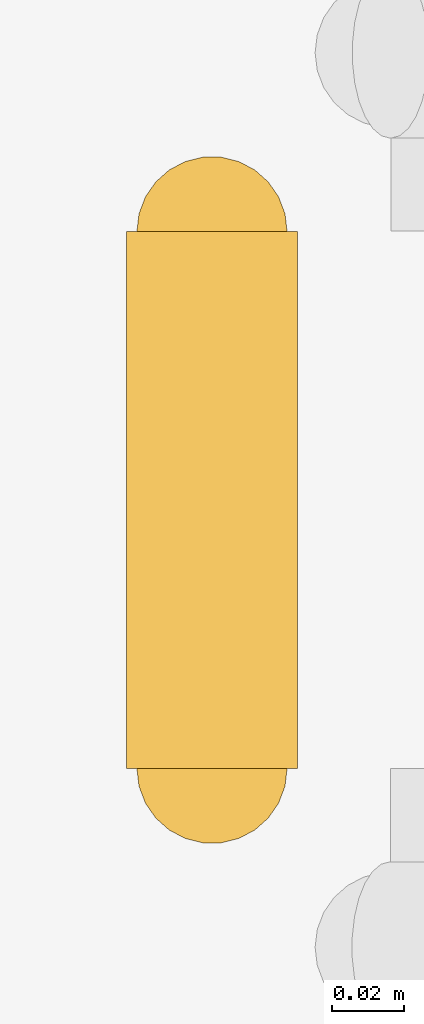
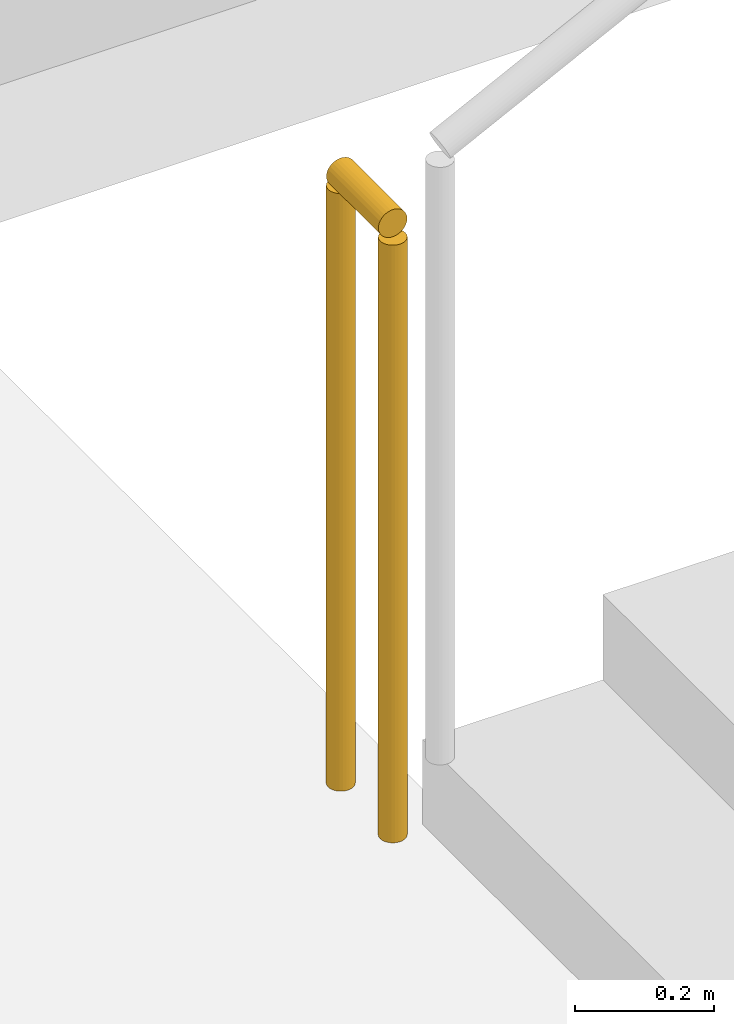
# One storey, part 38 of 47: 1 railing.
"""IFC4 building model written with IfcOpenShell, lengths in metres."""

from ifc_helpers import new_model, si_unit, direction, frame, origin, origin_2d, place, context, subcontext, project, spatial, circle, extrude, material, type_object, element, save


model = new_model("IFC4")

# Units and contexts
model_context = context("Model", 3, precision=1e-05, world=origin(), true_north=direction((0.0, 1.0)))
body_context = subcontext(model_context, "Body", "Model", "MODEL_VIEW")
ifc_project = project(units=[si_unit("LENGTHUNIT", "METRE"), si_unit("AREAUNIT", "SQUARE_METRE"), si_unit("VOLUMEUNIT", "CUBIC_METRE"), si_unit("PLANEANGLEUNIT", "RADIAN"), si_unit("MASSUNIT", "GRAM", prefix="KILO")], contexts=[model_context])

# Site, building, storey
site_placement = place(None, origin())
site = spatial("IfcSite", under=ifc_project, at=site_placement, CompositionType="ELEMENT")
building_placement = place(site_placement, origin())
building = spatial("IfcBuilding", under=site, at=building_placement, Name="Zevrakil Square Congress Hotel", CompositionType="ELEMENT")
storey_placement = place(building_placement, frame((0.0, 0.0, -4.199951171875)))
storey = spatial("IfcBuildingStorey", under=building, at=storey_placement, Name="B1", CompositionType="ELEMENT", Elevation=-4.199951171875)

# Railing
ifc_material = material(Name="Steel S355", Category="steel")
railing_type = type_object("IfcRailingType", Name="RLG-STAIR-GUARD-1100", PredefinedType="BALUSTRADE", material=ifc_material)
railing_placement = place(storey_placement, frame((57.35009765625, 41.0, 0.0)))
element("IfcRailing", 1, at=railing_placement, inside=storey, type_object=railing_type, Name="B1 ST04 stair guard 4", PredefinedType="BALUSTRADE", context=body_context, shape_type="SweptSolid", body=[
    extrude(circle(Radius=0.02392578125, at=origin_2d()), frame((0.0, 0.0, 1.076171875), z_axis=(0.0, 1.0, 0.0), x_axis=(-1.0, 0.0, 0.0)), (0.0, 0.0, 1.0), 0.14990234375),
    extrude(circle(Radius=0.02099609375, at=origin_2d()), origin(), (0.0, 0.0, 1.0), 1.052001953125),
    extrude(circle(Radius=0.02099609375, at=origin_2d()), frame((0.0, 0.14990234375, 0.0)), (0.0, 0.0, 1.0), 1.052001953125),
])

save(model, "model.ifc")
